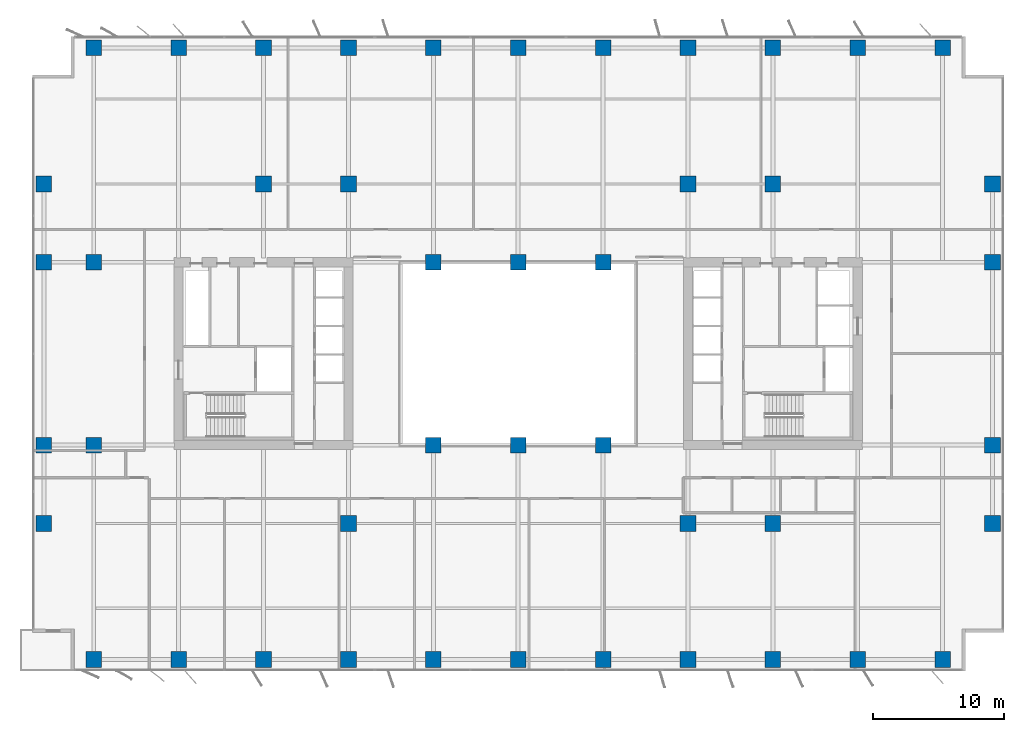
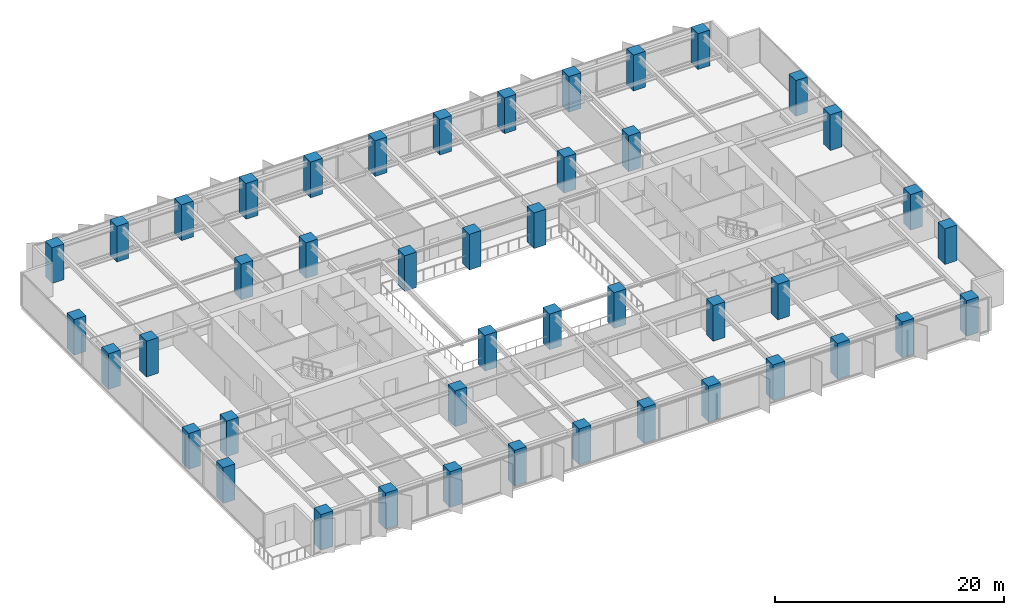
# One storey, part 1 of 20: 45 columns.
"""IFC4 building model written with IfcOpenShell, lengths in metres."""

from ifc_helpers import new_model, si_unit, direction, frame, origin, origin_2d, place, context, subcontext, project, spatial, rectangle, extrude, material, material_profile, profile_set, type_object, element, save


model = new_model("IFC4")

# Units and contexts
model_context = context("Model", 3, precision=1e-05, world=origin(), true_north=direction((0.0, 1.0)))
body_context = subcontext(model_context, "Body", "Model", "MODEL_VIEW")
ifc_project = project(units=[si_unit("LENGTHUNIT", "METRE"), si_unit("AREAUNIT", "SQUARE_METRE"), si_unit("VOLUMEUNIT", "CUBIC_METRE"), si_unit("PLANEANGLEUNIT", "RADIAN"), si_unit("MASSUNIT", "GRAM", prefix="KILO")], contexts=[model_context])

# Site, building, storey
site_placement = place(None, origin())
site = spatial("IfcSite", under=ifc_project, at=site_placement, CompositionType="ELEMENT")
building_placement = place(site_placement, origin())
building = spatial("IfcBuilding", under=site, at=building_placement, Name="Putna Gate Headquarters", CompositionType="ELEMENT")
storey_placement = place(building_placement, frame((0.0, 0.0, 93.60009765625)))
storey = spatial("IfcBuildingStorey", under=building, at=storey_placement, Name="L22", CompositionType="ELEMENT", Elevation=93.60009765625)

# Columns
ifc_material = material(Name="Concrete C60/75", Category="concrete")
ifc_material_profile_1 = material_profile(ifc_material, rectangle(XDim=1.199951171875, YDim=1.199951171875, at=origin_2d()), Name="Concrete C60/75")
ifc_profile_set_1 = profile_set([ifc_material_profile_1], Name="Concrete C60/75")
column_type_1 = type_object("IfcColumnType", Name="COL-RC1200-EXT", PredefinedType="COLUMN", material=ifc_profile_set_1)
for number, where, z_axis, x_axis, name in (
    (1, (6.5, 2.580078125, 0.0), (0.0, 0.0, 1.0), (1.0, 0.0, 0.0), "L22 Column CP-S6"),
    (2, (6.5, 49.419921875, 0.0), (0.0, 0.0, 1.0), (1.0, 0.0, 0.0), "L22 Column CP-N6"),
    (3, (13.0, 2.580078125, 0.0), (0.0, 0.0, 1.0), (1.0, 0.0, 0.0), "L22 Column CP-S13"),
    (4, (13.0, 49.419921875, 0.0), (0.0, 0.0, 1.0), (1.0, 0.0, 0.0), "L22 Column CP-N13"),
    (5, (19.5, 2.580078125, 0.0), (0.0, 0.0, 1.0), (1.0, 0.0, 0.0), "L22 Column CP-S19"),
    (6, (19.5, 49.419921875, 0.0), (0.0, 0.0, 1.0), (1.0, 0.0, 0.0), "L22 Column CP-N19"),
    (7, (26.0, 2.580078125, 0.0), (0.0, 0.0, 1.0), (1.0, 0.0, 0.0), "L22 Column CP-S26"),
    (8, (26.0, 49.419921875, 0.0), (0.0, 0.0, 1.0), (1.0, 0.0, 0.0), "L22 Column CP-N26"),
    (9, (32.5, 2.580078125, 0.0), (0.0, 0.0, 1.0), (1.0, 0.0, 0.0), "L22 Column CP-S32"),
    (10, (32.5, 49.419921875, 0.0), (0.0, 0.0, 1.0), (1.0, 0.0, 0.0), "L22 Column CP-N32"),
    (11, (39.0, 2.580078125, 0.0), (0.0, 0.0, 1.0), (1.0, 0.0, 0.0), "L22 Column CP-S39"),
    (12, (39.0, 49.419921875, 0.0), (0.0, 0.0, 1.0), (1.0, 0.0, 0.0), "L22 Column CP-N39"),
    (13, (45.5, 2.580078125, 0.0), (0.0, 0.0, 1.0), (1.0, 0.0, 0.0), "L22 Column CP-S45"),
    (14, (45.5, 49.419921875, 0.0), (0.0, 0.0, 1.0), (1.0, 0.0, 0.0), "L22 Column CP-N45"),
    (15, (52.0, 2.580078125, 0.0), (0.0, 0.0, 1.0), (1.0, 0.0, 0.0), "L22 Column CP-S52"),
    (16, (52.0, 49.419921875, 0.0), (0.0, 0.0, 1.0), (1.0, 0.0, 0.0), "L22 Column CP-N52"),
    (17, (58.5, 2.580078125, 0.0), (0.0, 0.0, 1.0), (1.0, 0.0, 0.0), "L22 Column CP-S58"),
    (18, (58.5, 49.419921875, 0.0), (0.0, 0.0, 1.0), (1.0, 0.0, 0.0), "L22 Column CP-N58"),
    (19, (65.0, 2.580078125, 0.0), (0.0, 0.0, 1.0), (1.0, 0.0, 0.0), "L22 Column CP-S65"),
    (20, (65.0, 49.419921875, 0.0), (0.0, 0.0, 1.0), (1.0, 0.0, 0.0), "L22 Column CP-N65"),
    (21, (71.5, 2.580078125, 0.0), (0.0, 0.0, 1.0), (1.0, 0.0, 0.0), "L22 Column CP-S71"),
    (22, (71.5, 49.419921875, 0.0), (0.0, 0.0, 1.0), (1.0, 0.0, 0.0), "L22 Column CP-N71"),
    (23, (2.679931640625, 13.0, 0.0), (0.0, 0.0, 1.0), (1.0, 0.0, 0.0), "L22 Column CP-W13"),
    (24, (75.320068359375, 13.0, 0.0), (0.0, 0.0, 1.0), (1.0, 0.0, 0.0), "L22 Column CP-E13"),
    (25, (2.679931640625, 19.0, 0.0), (0.0, 0.0, 1.0), (1.0, 0.0, 0.0), "L22 Column CP-W19"),
    (26, (75.320068359375, 19.0, 0.0), (0.0, 0.0, 1.0), (1.0, 0.0, 0.0), "L22 Column CP-E19"),
    (27, (2.679931640625, 33.0, 0.0), (0.0, 0.0, 1.0), (1.0, 0.0, 0.0), "L22 Column CP-W33"),
    (28, (75.320068359375, 33.0, 0.0), (0.0, 0.0, 1.0), (1.0, 0.0, 0.0), "L22 Column CP-E33"),
    (29, (2.679931640625, 39.0, 0.0), (0.0, 0.0, 1.0), (1.0, 0.0, 0.0), "L22 Column CP-W39"),
    (30, (75.320068359375, 39.0, 0.0), (0.0, 0.0, 1.0), (1.0, 0.0, 0.0), "L22 Column CP-E39"),
):
    element("IfcColumn", number, at=place(storey_placement, frame(where, z_axis=z_axis, x_axis=x_axis)), inside=storey, type_object=column_type_1, Name=name, PredefinedType="COLUMN", context=body_context, shape_type="SweptSolid", body=[
        extrude(rectangle(XDim=1.199951171875, YDim=1.199951171875, at=origin_2d()), origin(), (0.0, 0.0, 1.0), 3.7998046875),
    ])
ifc_material_profile_2 = material_profile(ifc_material, rectangle(XDim=1.199951171875, YDim=1.199951171875, at=origin_2d()), Name="Concrete C60/75")
ifc_profile_set_2 = profile_set([ifc_material_profile_2], Name="Concrete C60/75")
column_type_2 = type_object("IfcColumnType", Name="COL-RC1200-INT", PredefinedType="COLUMN", material=ifc_profile_set_2)
for number, where, z_axis, x_axis, name in (
    (31, (19.5, 39.0, 0.0), (0.0, 0.0, 1.0), (1.0, 0.0, 0.0), "L22 Column CSI-WN"),
    (32, (58.5, 13.0, 0.0), (0.0, 0.0, 1.0), (1.0, 0.0, 0.0), "L22 Column CSI-ES"),
    (33, (58.5, 39.0, 0.0), (0.0, 0.0, 1.0), (1.0, 0.0, 0.0), "L22 Column CSI-EN"),
    (34, (6.5, 19.0, 0.0), (0.0, 0.0, 1.0), (1.0, 0.0, 0.0), "L22 Column CSI-WM"),
    (35, (6.5, 33.0, 0.0), (0.0, 0.0, 1.0), (1.0, 0.0, 0.0), "L22 Column CSI-WNW"),
    (36, (32.5, 19.0, 0.0), (0.0, 0.0, 1.0), (1.0, 0.0, 0.0), "L22 Column CAI-S32"),
    (37, (32.5, 33.0, 0.0), (0.0, 0.0, 1.0), (1.0, 0.0, 0.0), "L22 Column CAI-N32"),
    (38, (39.0, 19.0, 0.0), (0.0, 0.0, 1.0), (1.0, 0.0, 0.0), "L22 Column CAI-S39"),
    (39, (39.0, 33.0, 0.0), (0.0, 0.0, 1.0), (1.0, 0.0, 0.0), "L22 Column CAI-N39"),
    (40, (45.5, 19.0, 0.0), (0.0, 0.0, 1.0), (1.0, 0.0, 0.0), "L22 Column CAI-S45"),
    (41, (45.5, 33.0, 0.0), (0.0, 0.0, 1.0), (1.0, 0.0, 0.0), "L22 Column CAI-N45"),
    (42, (26.0, 13.0, 0.0), (0.0, 0.0, 1.0), (1.0, 0.0, 0.0), "L22 Column CAP-WS"),
    (43, (26.0, 39.0, 0.0), (0.0, 0.0, 1.0), (1.0, 0.0, 0.0), "L22 Column CAP-WN"),
    (44, (52.0, 13.0, 0.0), (0.0, 0.0, 1.0), (1.0, 0.0, 0.0), "L22 Column CAP-ES"),
    (45, (52.0, 39.0, 0.0), (0.0, 0.0, 1.0), (1.0, 0.0, 0.0), "L22 Column CAP-EN"),
):
    element("IfcColumn", number, at=place(storey_placement, frame(where, z_axis=z_axis, x_axis=x_axis)), inside=storey, type_object=column_type_2, Name=name, PredefinedType="COLUMN", context=body_context, shape_type="SweptSolid", body=[
        extrude(rectangle(XDim=1.199951171875, YDim=1.199951171875, at=origin_2d()), origin(), (0.0, 0.0, 1.0), 3.7998046875),
    ])

save(model, "model.ifc")
